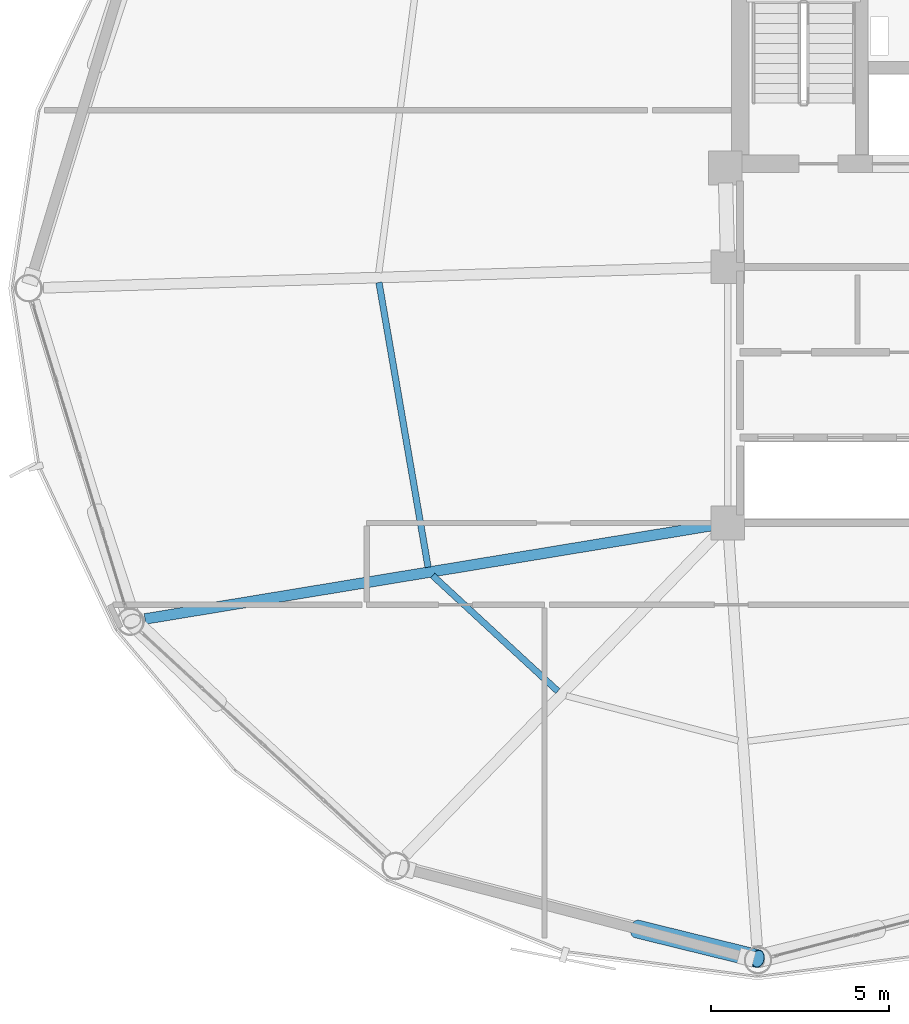
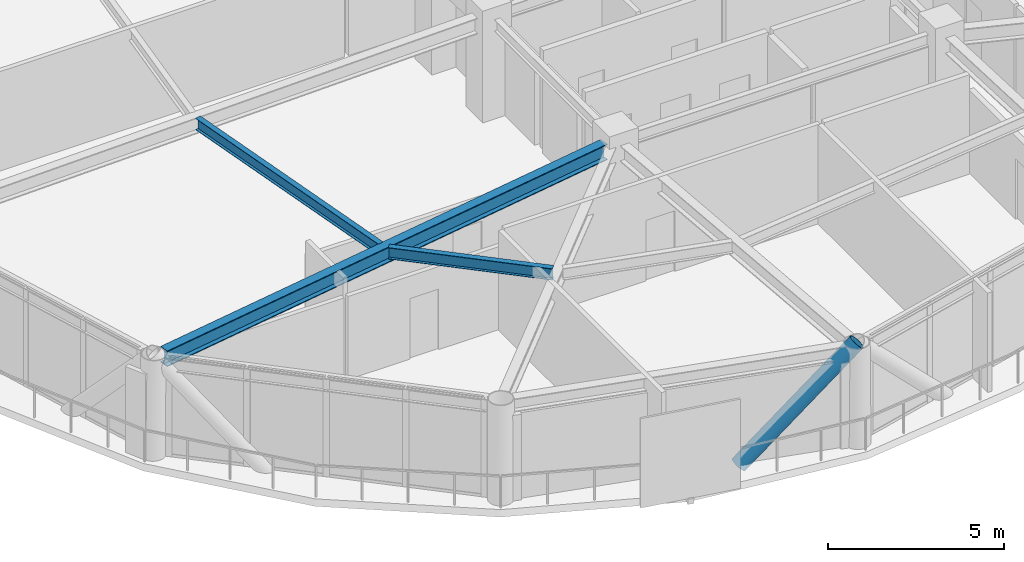
# One storey, part 6 of 26: 3 beams, 1 member.
"""IFC4 building model written with IfcOpenShell, lengths in metres."""

from ifc_helpers import new_model, si_unit, direction, frame, origin, origin_2d, place, context, subcontext, project, spatial, hollow_circle, i_section, extrude, material, material_profile, profile_set, type_object, element, save


model = new_model("IFC4")

# Units and contexts
model_context = context("Model", 3, precision=1e-05, world=origin(), true_north=direction((0.0, 1.0)))
body_context = subcontext(model_context, "Body", "Model", "MODEL_VIEW")
ifc_project = project(units=[si_unit("LENGTHUNIT", "METRE"), si_unit("AREAUNIT", "SQUARE_METRE"), si_unit("VOLUMEUNIT", "CUBIC_METRE"), si_unit("PLANEANGLEUNIT", "RADIAN"), si_unit("MASSUNIT", "GRAM", prefix="KILO")], contexts=[model_context])

# Site, building, storey
site_placement = place(None, origin())
site = spatial("IfcSite", under=ifc_project, at=site_placement, CompositionType="ELEMENT")
building_placement = place(site_placement, origin())
building = spatial("IfcBuilding", under=site, at=building_placement, Name="Varnakorn Sky Granary", CompositionType="ELEMENT")
storey_placement = place(building_placement, frame((0.0, 0.0, 165.60009765625)))
storey = spatial("IfcBuildingStorey", under=building, at=storey_placement, Name="L41", CompositionType="ELEMENT", Elevation=165.60009765625)

# Beams
ifc_material_1 = material(Name="Steel S355JR", Category="steel")
ifc_material_profile_1 = material_profile(ifc_material_1, i_section(OverallWidth=0.300048828125, OverallDepth=0.550048828125, WebThickness=0.014892578125, FlangeThickness=0.029052734375, at=origin_2d()), Name="HE 550 B")
ifc_profile_set_1 = profile_set([ifc_material_profile_1], Name="Steel S355JR")
beam_type_1 = type_object("IfcBeamType", Name="BM-RAD-Z3", PredefinedType="BEAM", material=ifc_profile_set_1)
beam_1_placement = place(storey_placement, frame((-2.764404296875, -6.668212890625, 3.1748046875), z_axis=(-0.986706890153, -0.162510039458, 0.0), x_axis=(0.162510039458, -0.986706890153, 0.0)))
element("IfcBeam", 1, at=beam_1_placement, inside=storey, type_object=beam_type_1, Name="Radial Floor Girder RG08 L41", PredefinedType="BEAM", context=body_context, shape_type="SweptSolid", body=[
    extrude(i_section(OverallWidth=0.300048828125, OverallDepth=0.550048828125, WebThickness=0.014892578125, FlangeThickness=0.029052734375, at=origin_2d()), origin(), (0.0, 0.0, 1.0), 16.182861328125),
])
ifc_material_profile_2 = material_profile(ifc_material_1, i_section(OverallWidth=0.179931640625, OverallDepth=0.39990234375, WebThickness=0.008544921875, FlangeThickness=0.013427734375, at=origin_2d()), Name="IPE 400")
ifc_profile_set_2 = profile_set([ifc_material_profile_2], Name="Steel S355JR")
beam_type_2 = type_object("IfcBeamType", Name="BM-SEC-Z3", PredefinedType="BEAM", material=ifc_profile_set_2)
beam_2_placement = place(storey_placement, frame((-12.1533203125, 0.1611328125, 3.25), z_axis=(0.169990437056, -0.985445712005, 0.0), x_axis=(0.985445712005, 0.169990437056, 0.0)))
element("IfcBeam", 2, at=beam_2_placement, inside=storey, type_object=beam_type_2, Name="Secondary Floor Chord Beam MSB07 L41", PredefinedType="BEAM", context=body_context, shape_type="SweptSolid", body=[
    extrude(i_section(OverallWidth=0.179931640625, OverallDepth=0.39990234375, WebThickness=0.008544921875, FlangeThickness=0.013427734375, at=origin_2d()), origin(), (0.0, 0.0, 1.0), 8.12451171875),
])
beam_3_placement = place(storey_placement, frame((-10.6455078125, -8.078125, 3.25), z_axis=(0.734699893783, -0.678392265636, 0.0), x_axis=(0.678392265636, 0.734699893783, 0.0)))
element("IfcBeam", 3, at=beam_3_placement, inside=storey, type_object=beam_type_2, Name="Secondary Floor Chord Beam MSB08 L41", PredefinedType="BEAM", context=body_context, shape_type="SweptSolid", body=[
    extrude(i_section(OverallWidth=0.179931640625, OverallDepth=0.39990234375, WebThickness=0.008544921875, FlangeThickness=0.013427734375, at=origin_2d()), origin(), (0.0, 0.0, 1.0), 4.791015625),
])

# Member
ifc_material_2 = material(Name="Steel S460M", Category="steel")
ifc_material_profile_3 = material_profile(ifc_material_2, hollow_circle(Radius=0.25390625, WallThickness=0.01806640625, at=origin_2d()), Name="CHS 508x18")
ifc_profile_set_3 = profile_set([ifc_material_profile_3], Name="Steel S460M")
member_type = type_object("IfcMemberType", Name="MB-DIAG-T2", PredefinedType="BRACE", material=ifc_profile_set_3)
member_placement = place(storey_placement, frame((-4.89697265625, -18.01513671875, -0.130126953125), z_axis=(0.678668169832, -0.166813651058, 0.715250110854), x_axis=(0.238691018718, 0.971095565628, 0.0)))
element("IfcMember", 4, at=member_placement, inside=storey, type_object=member_type, Name="Perimeter CHS Diagrid Brace DG09 L41", PredefinedType="BRACE", context=body_context, shape_type="SweptSolid", body=[
    extrude(hollow_circle(Radius=0.25390625, WallThickness=0.01806640625, at=origin_2d()), origin(), (0.0, 0.0, 1.0), 5.00537109375),
])

save(model, "model.ifc")
